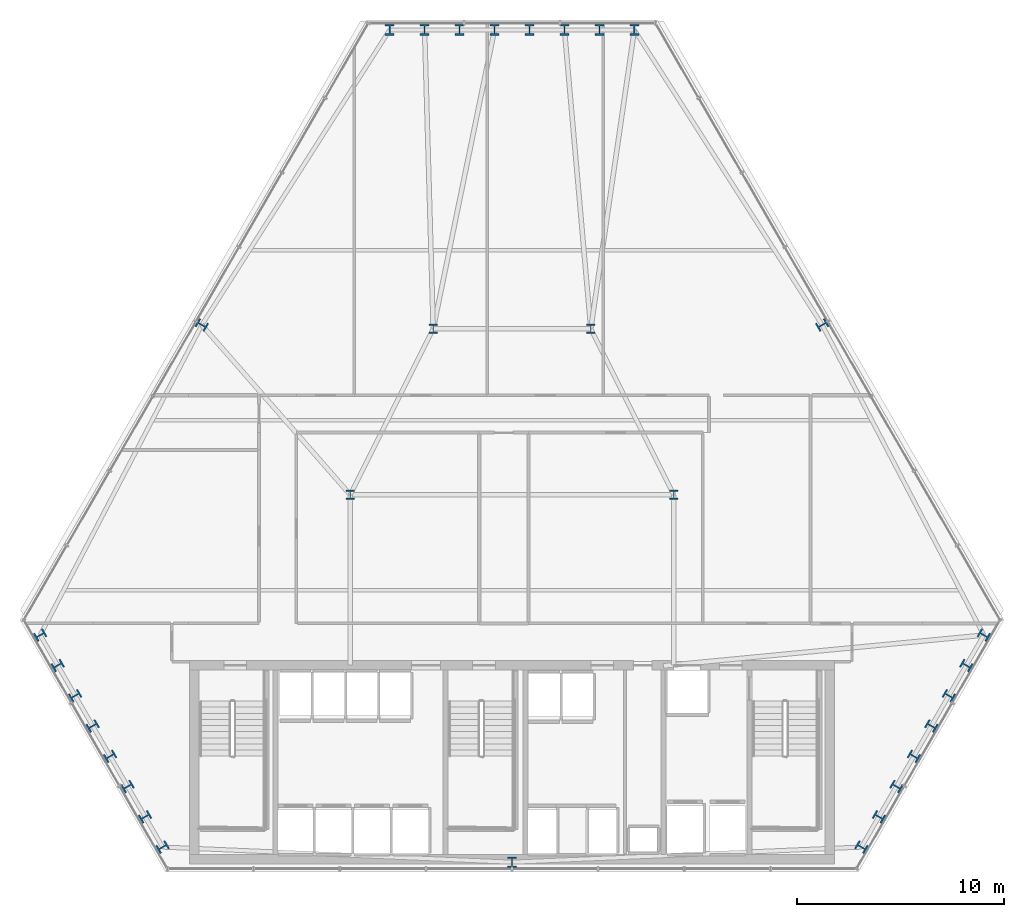
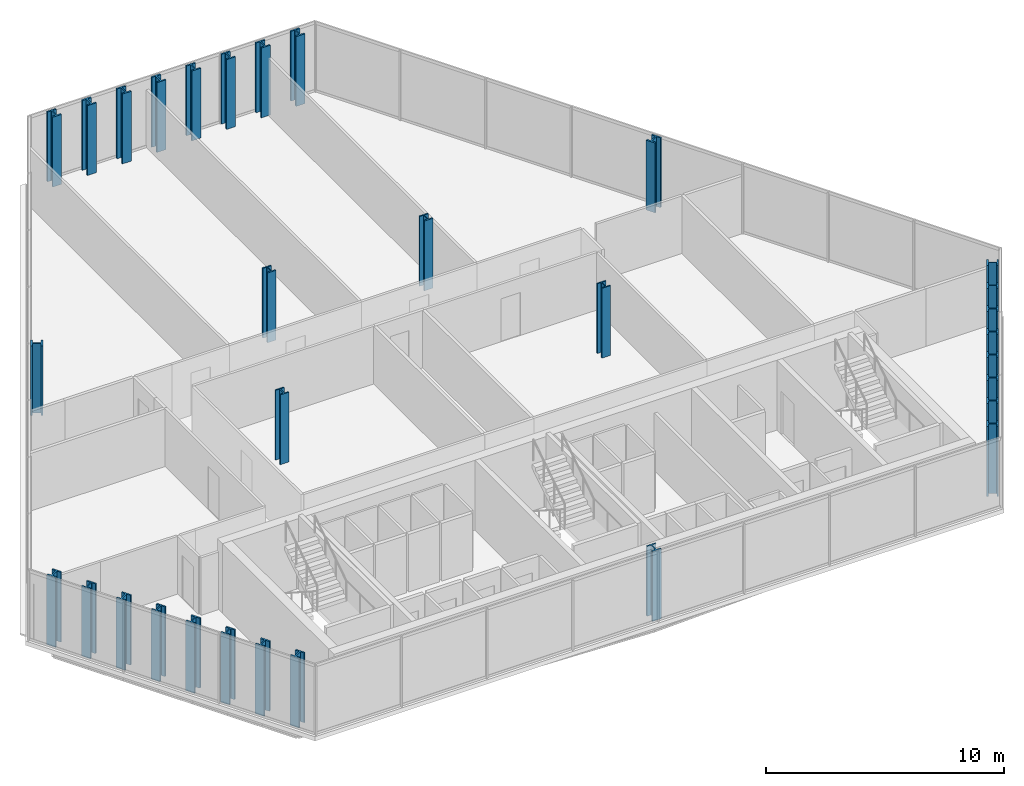
# One storey, part 1 of 32: 31 columns.
"""IFC4 building model written with IfcOpenShell, lengths in metres."""

import ifcopenshell
import ifcopenshell.guid

model = None  # the IFC model being written
_history = None  # IfcOwnerHistory: only IFC2X3 demands one
_inside = {}  # id of a spatial element -> (the spatial element, [elements in it])
_under = {}  # id of a project, library or spatial element -> (it, [spatial elements below it])
_declared = {}  # id of a project -> (the project, [libraries it declares])
_typed = {}  # id of a type object -> (the type object, [elements of that type])
_made_of = {}  # id of a material, layer set ... -> (it, [elements and type objects made of it])


def new_model(schema):
    """Start an empty IFC model of exactly this schema.

    Asked for "IFC4X3", IfcOpenShell would pick the latest addendum, in which some entities
    have other attributes; the version numbers below select the first issue.
    IFC2X3 requires an IfcOwnerHistory on every rooted entity: one is made here for all.
    """
    global model, _history
    if schema == "IFC4X3":
        model = ifcopenshell.file(schema_version=(4, 3, 0, 0))
    else:
        model = ifcopenshell.file(schema=schema)
    _inside.clear()
    _under.clear()
    _declared.clear()
    _typed.clear()
    _made_of.clear()
    _history = None
    if model.schema == "IFC2X3":
        org = make("IfcOrganization", Name="unknown")
        user = make(
            "IfcPersonAndOrganization",
            ThePerson=make("IfcPerson", FamilyName="unknown"),
            TheOrganization=org,
        )
        app = make(
            "IfcApplication",
            ApplicationDeveloper=org,
            Version="unknown",
            ApplicationFullName="unknown",
            ApplicationIdentifier="unknown",
        )
        _history = make(
            "IfcOwnerHistory",
            OwningUser=user,
            OwningApplication=app,
            ChangeAction="ADDED",
            CreationDate=0,
        )
    return model


def make(cls, **values):
    """One entity of the class cls with the attributes given. An attribute that is None is left unset."""
    return model.create_entity(
        cls, **{name: value for name, value in values.items() if value is not None}
    )


def rooted(cls, **values):
    """An entity with a GlobalId (a new one), such as an element, a storey or a relation."""
    return make(cls, GlobalId=ifcopenshell.guid.new(), OwnerHistory=_history, **values)


def si_unit(unit_type, name, prefix=None):
    """IfcSIUnit, for example si_unit("LENGTHUNIT", "METRE", prefix="MILLI")."""
    return make("IfcSIUnit", UnitType=unit_type, Prefix=prefix, Name=name)


def assignment(units):
    """IfcUnitAssignment: the units of a project."""
    return None if units is None else make("IfcUnitAssignment", Units=units)


def point(xyz):
    """IfcCartesianPoint."""
    return None if xyz is None else make("IfcCartesianPoint", Coordinates=xyz)


def direction(xyz):
    """IfcDirection."""
    return None if xyz is None else make("IfcDirection", DirectionRatios=xyz)


def frame(location, z_axis=None, x_axis=None):
    """IfcAxis2Placement3D, a coordinate frame: its origin and axes. An axis left out is left unset."""
    return make(
        "IfcAxis2Placement3D",
        Location=point(location),
        Axis=direction(z_axis),
        RefDirection=direction(x_axis),
    )


def frame_2d(location, x_axis=None):
    """IfcAxis2Placement2D, a coordinate frame in the plane: its origin and x axis."""
    return make(
        "IfcAxis2Placement2D", Location=point(location), RefDirection=direction(x_axis)
    )


def origin():
    """The frame at (0, 0, 0) with its axes left unset."""
    return frame((0.0, 0.0, 0.0))


def origin_2d():
    """The frame at (0, 0) in the plane with its x axis left unset."""
    return frame_2d((0.0, 0.0))


def place(relative_to, where):
    """IfcLocalPlacement: puts the frame where relative to a parent placement (None: the world)."""
    return make(
        "IfcLocalPlacement", PlacementRelTo=relative_to, RelativePlacement=where
    )


def context(
    kind, dimensions, precision=None, world=None, true_north=None, identifier=None
):
    """IfcGeometricRepresentationContext, for example the 3D "Model" context."""
    return make(
        "IfcGeometricRepresentationContext",
        ContextIdentifier=identifier,
        ContextType=kind,
        CoordinateSpaceDimension=dimensions,
        Precision=precision,
        WorldCoordinateSystem=world,
        TrueNorth=true_north,
    )


def subcontext(parent, identifier, kind, view, scale=None):
    """IfcGeometricRepresentationSubContext, for example "Body" below "Model"."""
    return make(
        "IfcGeometricRepresentationSubContext",
        ContextIdentifier=identifier,
        ContextType=kind,
        ParentContext=parent,
        TargetScale=scale,
        TargetView=view,
    )


def project(units=None, contexts=None):
    """IfcProject with its units and contexts."""
    return rooted(
        "IfcProject",
        Name="project",
        RepresentationContexts=contexts,
        UnitsInContext=assignment(units),
    )


def spatial(cls, under=None, at=None, **own):
    """A site, building, storey or space (cls), placed at a placement, below another one or the project."""
    s = rooted(cls, ObjectPlacement=at, **own)
    if under is not None:
        _under.setdefault(under.id(), (under, []))[1].append(s)
    return s


def profile(cls, at=None, kind="AREA", **sizes):
    """A parametric profile (cls). Its sizes go by their IFC names, for example OverallWidth=200.0."""
    return make(cls, ProfileType=kind, Position=at, **sizes)


def i_section(**sizes):
    """IfcIShapeProfileDef."""
    return profile("IfcIShapeProfileDef", **sizes)


def extrude(swept, where, along, depth):
    """IfcExtrudedAreaSolid: the profile swept, set in the frame where, extruded along a direction by depth."""
    return make(
        "IfcExtrudedAreaSolid",
        SweptArea=swept,
        Position=where,
        ExtrudedDirection=direction(along),
        Depth=depth,
    )


def shape(context_of_items, identifier, shape_type, items):
    """IfcShapeRepresentation: the items that make up one representation, for example the "Body"."""
    return make(
        "IfcShapeRepresentation",
        ContextOfItems=context_of_items,
        RepresentationIdentifier=identifier,
        RepresentationType=shape_type,
        Items=items,
    )


def material(Name=None, Category=None):
    """IfcMaterial."""
    return make("IfcMaterial", Name=Name, Category=Category)


def material_profile(
    of_material, cross_section, Name=None, Category=None, Priority=None
):
    """IfcMaterialProfile: a cross section and its material."""
    return make(
        "IfcMaterialProfile",
        Name=Name,
        Material=of_material,
        Profile=cross_section,
        Priority=Priority,
        Category=Category,
    )


def profile_set(profiles, Name=None, composite=None):
    """IfcMaterialProfileSet."""
    return make(
        "IfcMaterialProfileSet",
        Name=Name,
        MaterialProfiles=profiles,
        CompositeProfile=composite,
    )


def made_of(thing, what):
    """Note that an element or type object is made of a material, layer set ...; save() writes the relation."""
    if what is not None:
        _made_of.setdefault(what.id(), (what, []))[1].append(thing)
    return thing


def type_object(cls, material=None, **own):
    """A type object (cls), such as IfcWallType, which elements share."""
    return made_of(rooted(cls, **own), material)


def element(
    cls,
    number,
    at=None,
    inside=None,
    cuts=None,
    type_object=None,
    material=None,
    context=None,
    identifier="Body",
    shape_type=None,
    held_by="IfcProductDefinitionShape",
    body=None,
    shapes=None,
    **own,
):
    """One element of the class cls, such as IfcWall. Its Tag is "e" and its number.

    at: its placement. inside: the storey or other place that contains it. cuts: it is an
    opening in that element (IfcRelVoidsElement). A single representation is given by context,
    identifier, shape_type and body (its items); several are given by shapes. held_by: the class
    of the entity that holds the representations. save() writes the other relations.
    """
    e = rooted(cls, Tag="e%d" % number, ObjectPlacement=at, **own)
    if body is not None:
        shapes = [shape(context, identifier, shape_type, body)]
    if shapes is not None:
        e.Representation = make(held_by, Representations=shapes)
    if inside is not None:
        _inside.setdefault(inside.id(), (inside, []))[1].append(e)
    if cuts is not None:
        rooted(
            "IfcRelVoidsElement", RelatingBuildingElement=cuts, RelatedOpeningElement=e
        )
    if type_object is not None:
        _typed.setdefault(type_object.id(), (type_object, []))[1].append(e)
    return made_of(e, material)


def aggregate(whole, parts):
    """IfcRelAggregates: a whole, such as a stair, and the parts it consists of."""
    return rooted("IfcRelAggregates", RelatingObject=whole, RelatedObjects=parts)


def save(model, path):
    """Write the relations noted so far, then the file.

    IfcRelAggregates (storeys below a building ...), IfcRelContainedInSpatialStructure (elements
    in a storey), IfcRelDefinesByType, IfcRelAssociatesMaterial and IfcRelDeclares: one each for
    every whole, place, type object, material and project.
    """
    for whole, parts in _under.values():
        aggregate(whole, parts)
    for where, things in _inside.values():
        rooted(
            "IfcRelContainedInSpatialStructure",
            RelatedElements=things,
            RelatingStructure=where,
        )
    for kind, things in _typed.values():
        rooted("IfcRelDefinesByType", RelatedObjects=things, RelatingType=kind)
    for what, things in _made_of.values():
        rooted("IfcRelAssociatesMaterial", RelatedObjects=things, RelatingMaterial=what)
    for by, libraries in _declared.values():
        rooted("IfcRelDeclares", RelatingContext=by, RelatedDefinitions=libraries)
    model.write(path)


model = new_model("IFC4")

# Units and contexts
model_context = context("Model", 3, precision=1e-05, world=origin(), true_north=direction((0.0, 1.0)))
body_context = subcontext(model_context, "Body", "Model", "MODEL_VIEW")
ifc_project = project(units=[si_unit("LENGTHUNIT", "METRE"), si_unit("AREAUNIT", "SQUARE_METRE"), si_unit("VOLUMEUNIT", "CUBIC_METRE"), si_unit("PLANEANGLEUNIT", "RADIAN"), si_unit("MASSUNIT", "GRAM", prefix="KILO")], contexts=[model_context])

# Site, building, storey
site_placement = place(None, origin())
site = spatial("IfcSite", under=ifc_project, at=site_placement, CompositionType="ELEMENT")
building_placement = place(site_placement, origin())
building = spatial("IfcBuilding", under=site, at=building_placement, Name="Ndaravel Arena Tower", CompositionType="ELEMENT")
storey_placement = place(building_placement, frame((0.0, 0.0, 93.0)))
storey = spatial("IfcBuildingStorey", under=building, at=storey_placement, Name="L21", CompositionType="ELEMENT", Elevation=93.0)

# Columns
ifc_material_1 = material(Name="Steel S460", Category="steel")
ifc_material_profile_1 = material_profile(ifc_material_1, i_section(OverallWidth=0.41845703125, OverallDepth=0.45556640625, WebThickness=0.0419921875, FlangeThickness=0.0673828125, FilletRadius=0.01513671875, at=origin_2d()), Name="UC 356x406x551")
ifc_profile_set_1 = profile_set([ifc_material_profile_1], Name="Steel S460")
column_type_1 = type_object("IfcColumnType", Name="COL-INT-UC551", PredefinedType="COLUMN", material=ifc_profile_set_1)
for number, where, z_axis, x_axis, name in (
    (1, (34.199951171875, 23.199951171875, 0.0), (0.0, 0.0, 1.0), (1.0, 0.0, 0.0), "L21 Interior Spine Column IC-01"),
    (2, (49.800048828125, 23.199951171875, 0.0), (0.0, 0.0, 1.0), (1.0, 0.0, 0.0), "L21 Interior Spine Column IC-02"),
    (3, (38.199951171875, 31.199951171875, 0.0), (0.0, 0.0, 1.0), (1.0, 0.0, 0.0), "L21 Interior Spine Column IC-03"),
    (4, (45.800048828125, 31.199951171875, 0.0), (0.0, 0.0, 1.0), (1.0, 0.0, 0.0), "L21 Interior Spine Column IC-04"),
):
    element("IfcColumn", number, at=place(storey_placement, frame(where, z_axis=z_axis, x_axis=x_axis)), inside=storey, type_object=column_type_1, Name=name, PredefinedType="COLUMN", context=body_context, shape_type="SweptSolid", body=[
        extrude(i_section(OverallWidth=0.41845703125, OverallDepth=0.45556640625, WebThickness=0.0419921875, FlangeThickness=0.0673828125, FilletRadius=0.01513671875, at=origin_2d()), origin(), (0.0, 0.0, 1.0), 3.580078125),
    ])
ifc_material_2 = material(Name="Steel S460", Category="steel")
ifc_material_profile_2 = material_profile(ifc_material_2, i_section(OverallWidth=0.43701171875, OverallDepth=0.513916015625, WebThickness=0.060546875, FlangeThickness=0.076904296875, FilletRadius=0.014892578125, at=origin_2d()), Name="HD 400x818")
ifc_profile_set_2 = profile_set([ifc_material_profile_2], Name="Steel S460")
column_type_2 = type_object("IfcColumnType", Name="COL-TUBE-HD818", PredefinedType="COLUMN", material=ifc_profile_set_2)
for number, where, z_axis, x_axis, name in (
    (5, (42.0, 5.47998046875, 0.0), (0.0, 0.0, 1.0), (1.0, 0.0, 0.0), "L21 Framed Tube Column TC-01"),
    (6, (58.84912109375, 6.2099609375, 0.0), (0.0, 0.0, 1.0), (0.5, 0.866025403784, 0.0), "L21 Framed Tube Column TC-02"),
    (7, (59.692138671875, 7.670166015625, 0.0), (0.0, 0.0, 1.0), (0.5, 0.866025403784, 0.0), "L21 Framed Tube Column TC-03"),
    (8, (60.534912109375, 9.130126953125, 0.0), (0.0, 0.0, 1.0), (0.5, 0.866025403784, 0.0), "L21 Framed Tube Column TC-04"),
    (9, (61.3779296875, 10.59033203125, 0.0), (0.0, 0.0, 1.0), (0.5, 0.866025403784, 0.0), "L21 Framed Tube Column TC-05"),
    (10, (62.220947265625, 12.05029296875, 0.0), (0.0, 0.0, 1.0), (0.5, 0.866025403784, 0.0), "L21 Framed Tube Column TC-06"),
    (11, (63.06396484375, 13.510498046875, 0.0), (0.0, 0.0, 1.0), (0.5, 0.866025403784, 0.0), "L21 Framed Tube Column TC-07"),
    (12, (63.906982421875, 14.970703125, 0.0), (0.0, 0.0, 1.0), (0.5, 0.866025403784, 0.0), "L21 Framed Tube Column TC-08"),
    (13, (64.75, 16.4306640625, 0.0), (0.0, 0.0, 1.0), (0.5, 0.866025403784, 0.0), "L21 Framed Tube Column TC-09"),
    (14, (56.957763671875, 31.387451171875, 0.0), (0.0, 0.0, 1.0), (-0.5, 0.866025403784, 0.0), "L21 Framed Tube Column TC-10"),
    (15, (47.90087890625, 45.614013671875, 0.0), (0.0, 0.0, 1.0), (1.0, 0.0, 0.0), "L21 Framed Tube Column TC-11"),
    (16, (46.21484375, 45.614013671875, 0.0), (0.0, 0.0, 1.0), (1.0, 0.0, 0.0), "L21 Framed Tube Column TC-12"),
    (17, (44.529052734375, 45.614013671875, 0.0), (0.0, 0.0, 1.0), (1.0, 0.0, 0.0), "L21 Framed Tube Column TC-13"),
    (18, (42.843017578125, 45.614013671875, 0.0), (0.0, 0.0, 1.0), (1.0, 0.0, 0.0), "L21 Framed Tube Column TC-14"),
    (19, (41.156982421875, 45.614013671875, 0.0), (0.0, 0.0, 1.0), (1.0, 0.0, 0.0), "L21 Framed Tube Column TC-15"),
    (20, (39.470947265625, 45.614013671875, 0.0), (0.0, 0.0, 1.0), (1.0, 0.0, 0.0), "L21 Framed Tube Column TC-16"),
    (21, (37.78515625, 45.614013671875, 0.0), (0.0, 0.0, 1.0), (1.0, 0.0, 0.0), "L21 Framed Tube Column TC-17"),
    (22, (36.09912109375, 45.614013671875, 0.0), (0.0, 0.0, 1.0), (1.0, 0.0, 0.0), "L21 Framed Tube Column TC-18"),
    (23, (27.04248046875, 31.387451171875, 0.0), (0.0, 0.0, 1.0), (0.5, 0.866025403784, 0.0), "L21 Framed Tube Column TC-19"),
    (24, (19.25, 16.4306640625, 0.0), (0.0, 0.0, 1.0), (-0.5, 0.866025403784, 0.0), "L21 Framed Tube Column TC-20"),
    (25, (20.093017578125, 14.970703125, 0.0), (0.0, 0.0, 1.0), (-0.5, 0.866025403784, 0.0), "L21 Framed Tube Column TC-21"),
    (26, (20.93603515625, 13.510498046875, 0.0), (0.0, 0.0, 1.0), (-0.5, 0.866025403784, 0.0), "L21 Framed Tube Column TC-22"),
    (27, (21.779052734375, 12.05029296875, 0.0), (0.0, 0.0, 1.0), (-0.5, 0.866025403784, 0.0), "L21 Framed Tube Column TC-23"),
    (28, (22.6220703125, 10.59033203125, 0.0), (0.0, 0.0, 1.0), (-0.5, 0.866025403784, 0.0), "L21 Framed Tube Column TC-24"),
    (29, (23.465087890625, 9.130126953125, 0.0), (0.0, 0.0, 1.0), (-0.5, 0.866025403784, 0.0), "L21 Framed Tube Column TC-25"),
    (30, (24.307861328125, 7.670166015625, 0.0), (0.0, 0.0, 1.0), (-0.5, 0.866025403784, 0.0), "L21 Framed Tube Column TC-26"),
    (31, (25.15087890625, 6.2099609375, 0.0), (0.0, 0.0, 1.0), (-0.5, 0.866025403784, 0.0), "L21 Framed Tube Column TC-27"),
):
    element("IfcColumn", number, at=place(storey_placement, frame(where, z_axis=z_axis, x_axis=x_axis)), inside=storey, type_object=column_type_2, Name=name, PredefinedType="COLUMN", context=body_context, shape_type="SweptSolid", body=[
        extrude(i_section(OverallWidth=0.43701171875, OverallDepth=0.513916015625, WebThickness=0.060546875, FlangeThickness=0.076904296875, FilletRadius=0.014892578125, at=origin_2d()), origin(), (0.0, 0.0, 1.0), 3.580078125),
    ])

save(model, "model.ifc")
